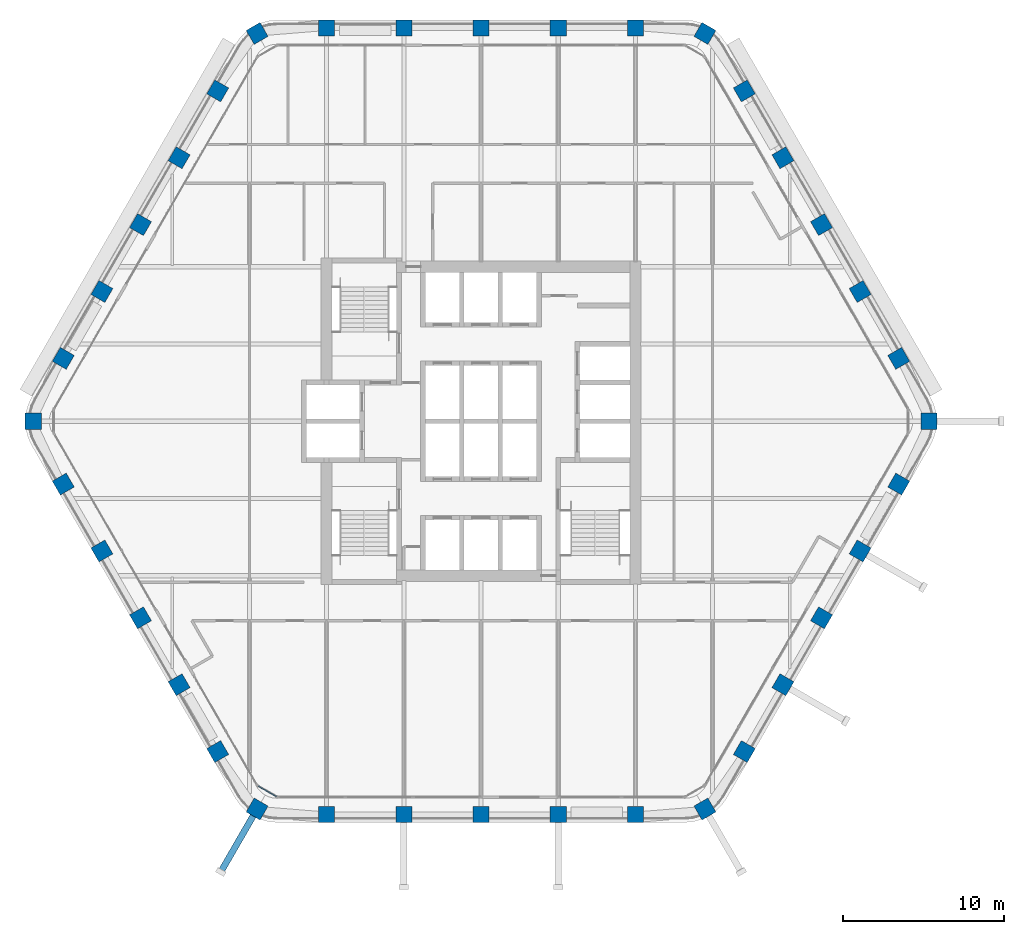
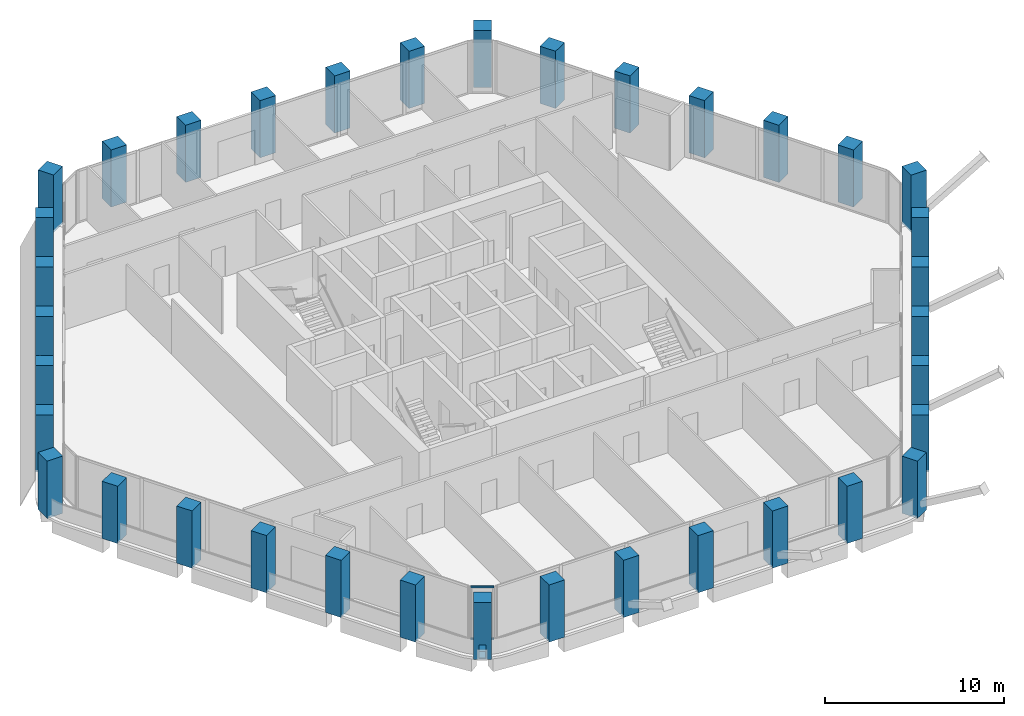
# One storey, part 1 of 16: 36 columns, 3 members, 1 element without a shape of its own.
"""IFC4 building model written with IfcOpenShell, lengths in metres."""

from ifc_helpers import new_model, si_unit, direction, frame, origin, origin_2d, place, context, subcontext, project, spatial, rectangle, hollow_rectangle, extrude, material, material_profile, profile_set, type_object, element, aggregate, save


model = new_model("IFC4")

# Units and contexts
model_context = context("Model", 3, precision=1e-05, world=origin(), true_north=direction((0.0, 1.0)))
body_context = subcontext(model_context, "Body", "Model", "MODEL_VIEW")
ifc_project = project(units=[si_unit("LENGTHUNIT", "METRE"), si_unit("AREAUNIT", "SQUARE_METRE"), si_unit("VOLUMEUNIT", "CUBIC_METRE"), si_unit("PLANEANGLEUNIT", "RADIAN"), si_unit("MASSUNIT", "GRAM", prefix="KILO")], contexts=[model_context])

# Site, building, storey
site_placement = place(None, origin())
site = spatial("IfcSite", under=ifc_project, at=site_placement, CompositionType="ELEMENT")
building_placement = place(site_placement, origin())
building = spatial("IfcBuilding", under=site, at=building_placement, Name="Kolab Exchange Tower", CompositionType="ELEMENT")
storey_placement = place(building_placement, frame((0.0, 0.0, 193.39990234375)))
storey = spatial("IfcBuildingStorey", under=building, at=storey_placement, Name="L41", CompositionType="ELEMENT", Elevation=193.39990234375)

# Columns
ifc_material_1 = material(Name="Concrete C60/75", Category="concrete")
ifc_material_profile_1 = material_profile(ifc_material_1, rectangle(XDim=1.0, YDim=1.0, at=origin_2d()), Name="RC1000")
ifc_profile_set_1 = profile_set([ifc_material_profile_1], Name="Concrete C60/75")
column_type = type_object("IfcColumnType", Name="PERIMETER COLUMN 1000 SQ C60/75", PredefinedType="COLUMN", material=ifc_profile_set_1)
for number, where, z_axis, x_axis, name in (
    (1, (-13.91796875, 24.106689453125, -0.14990234375), (0.0, 0.0, 1.0), (0.866025403784, 0.5, 0.0), "col/L41/F1-01"),
    (2, (-9.60009765625, 24.441650390625, -0.14990234375), (0.0, 0.0, 1.0), (1.0, 0.0, 0.0), "col/L41/F1-02"),
    (3, (-4.800048828125, 24.441650390625, -0.14990234375), (0.0, 0.0, 1.0), (1.0, 0.0, 0.0), "col/L41/F1-03"),
    (4, (0.0, 24.441650390625, -0.14990234375), (0.0, 0.0, 1.0), (1.0, 0.0, 0.0), "col/L41/F1-04"),
    (5, (4.800048828125, 24.441650390625, -0.14990234375), (0.0, 0.0, 1.0), (1.0, 0.0, 0.0), "col/L41/F1-05"),
    (6, (9.60009765625, 24.441650390625, -0.14990234375), (0.0, 0.0, 1.0), (1.0, 0.0, 0.0), "col/L41/F1-06"),
    (7, (13.91796875, 24.106689453125, -0.14990234375), (0.0, 0.0, 1.0), (0.5, 0.866025403784, 0.0), "col/L41/F2-01"),
    (8, (16.366943359375, 20.53466796875, -0.14990234375), (0.0, 0.0, 1.0), (0.866025403784, 0.5, 0.0), "col/L41/F2-02"),
    (9, (18.76708984375, 16.377685546875, -0.14990234375), (0.0, 0.0, 1.0), (0.866025403784, 0.5, 0.0), "col/L41/F2-03"),
    (10, (21.1669921875, 12.220703125, -0.14990234375), (0.0, 0.0, 1.0), (0.866025403784, 0.5, 0.0), "col/L41/F2-04"),
    (11, (23.56689453125, 8.06396484375, -0.14990234375), (0.0, 0.0, 1.0), (0.866025403784, 0.5, 0.0), "col/L41/F2-05"),
    (12, (25.967041015625, 3.906982421875, -0.14990234375), (0.0, 0.0, 1.0), (0.866025403784, 0.5, 0.0), "col/L41/F2-06"),
    (13, (27.8359375, 0.0, -0.14990234375), (0.0, 0.0, 1.0), (1.0, 0.0, 0.0), "col/L41/F3-01"),
    (14, (25.967041015625, -3.906982421875, -0.14990234375), (0.0, 0.0, 1.0), (0.5, 0.866025403784, 0.0), "col/L41/F3-02"),
    (15, (23.56689453125, -8.06396484375, -0.14990234375), (0.0, 0.0, 1.0), (0.5, 0.866025403784, 0.0), "col/L41/F3-03"),
    (16, (21.1669921875, -12.220703125, -0.14990234375), (0.0, 0.0, 1.0), (0.5, 0.866025403784, 0.0), "col/L41/F3-04"),
    (17, (18.76708984375, -16.377685546875, -0.14990234375), (0.0, 0.0, 1.0), (0.5, 0.866025403784, 0.0), "col/L41/F3-05"),
    (18, (16.366943359375, -20.53466796875, -0.14990234375), (0.0, 0.0, 1.0), (0.5, 0.866025403784, 0.0), "col/L41/F3-06"),
    (19, (13.91796875, -24.106689453125, -0.14990234375), (0.0, 0.0, 1.0), (0.866025403784, 0.5, 0.0), "col/L41/F4-01"),
    (20, (9.60009765625, -24.441650390625, -0.14990234375), (0.0, 0.0, 1.0), (1.0, 0.0, 0.0), "col/L41/F4-02"),
    (21, (4.800048828125, -24.441650390625, -0.14990234375), (0.0, 0.0, 1.0), (1.0, 0.0, 0.0), "col/L41/F4-03"),
    (22, (0.0, -24.441650390625, -0.14990234375), (0.0, 0.0, 1.0), (1.0, 0.0, 0.0), "col/L41/F4-04"),
    (23, (-4.800048828125, -24.441650390625, -0.14990234375), (0.0, 0.0, 1.0), (1.0, 0.0, 0.0), "col/L41/F4-05"),
    (24, (-9.60009765625, -24.441650390625, -0.14990234375), (0.0, 0.0, 1.0), (1.0, 0.0, 0.0), "col/L41/F4-06"),
    (25, (-13.91796875, -24.106689453125, -0.14990234375), (0.0, 0.0, 1.0), (0.5, 0.866025403784, 0.0), "col/L41/F5-01"),
    (26, (-16.366943359375, -20.53466796875, -0.14990234375), (0.0, 0.0, 1.0), (0.866025403784, 0.5, 0.0), "col/L41/F5-02"),
    (27, (-18.76708984375, -16.377685546875, -0.14990234375), (0.0, 0.0, 1.0), (0.866025403784, 0.5, 0.0), "col/L41/F5-03"),
    (28, (-21.1669921875, -12.220703125, -0.14990234375), (0.0, 0.0, 1.0), (0.866025403784, 0.5, 0.0), "col/L41/F5-04"),
    (29, (-23.56689453125, -8.06396484375, -0.14990234375), (0.0, 0.0, 1.0), (0.866025403784, 0.5, 0.0), "col/L41/F5-05"),
    (30, (-25.967041015625, -3.906982421875, -0.14990234375), (0.0, 0.0, 1.0), (0.866025403784, 0.5, 0.0), "col/L41/F5-06"),
    (31, (-27.8359375, 0.0, -0.14990234375), (0.0, 0.0, 1.0), (1.0, 0.0, 0.0), "col/L41/F6-01"),
    (32, (-25.967041015625, 3.906982421875, -0.14990234375), (0.0, 0.0, 1.0), (0.5, 0.866025403784, 0.0), "col/L41/F6-02"),
    (33, (-23.56689453125, 8.06396484375, -0.14990234375), (0.0, 0.0, 1.0), (0.5, 0.866025403784, 0.0), "col/L41/F6-03"),
    (34, (-21.1669921875, 12.220703125, -0.14990234375), (0.0, 0.0, 1.0), (0.5, 0.866025403784, 0.0), "col/L41/F6-04"),
    (35, (-18.76708984375, 16.377685546875, -0.14990234375), (0.0, 0.0, 1.0), (0.5, 0.866025403784, 0.0), "col/L41/F6-05"),
    (36, (-16.366943359375, 20.53466796875, -0.14990234375), (0.0, 0.0, 1.0), (0.5, 0.866025403784, 0.0), "col/L41/F6-06"),
):
    element("IfcColumn", number, at=place(storey_placement, frame(where, z_axis=z_axis, x_axis=x_axis)), inside=storey, type_object=column_type, Name=name, PredefinedType="COLUMN", context=body_context, shape_type="SweptSolid", body=[
        extrude(rectangle(XDim=1.0, YDim=1.0, at=origin_2d()), origin(), (0.0, 0.0, 1.0), 3.89990234375),
    ])

# Member
ifc_material_2 = material(Name="Steel S355", Category="steel")
ifc_material_profile_2 = material_profile(ifc_material_2, hollow_rectangle(XDim=0.39990234375, YDim=0.39990234375, WallThickness=0.02001953125, at=origin_2d()), Name="HSS400X400X20")
ifc_profile_set_2 = profile_set([ifc_material_profile_2], Name="Steel S355")
member_type_1 = type_object("IfcMemberType", Name="LEDGE STRUT HSS400X400X20", PredefinedType="STRUT", material=ifc_profile_set_2)
member_1_placement = place(storey_placement, frame((-14.14794921875, -24.5048828125, 0.60009765625), z_axis=(-0.431366436313, -0.74714919009, 0.505659060406), x_axis=(0.866025579307, -0.499999695987, 0.0)))
element("IfcMember", 37, at=member_1_placement, inside=storey, type_object=member_type_1, Name="mem/L41/ledge/strut-6", PredefinedType="STRUT", context=body_context, shape_type="SweptSolid", body=[
    extrude(hollow_rectangle(XDim=0.39990234375, YDim=0.39990234375, WallThickness=0.02001953125, at=origin_2d()), origin(), (0.0, 0.0, 1.0), 4.682861328125),
])

# Curtain wall, members
ifc_material_3 = material(Name="Aluminium EN AW-6063 T6", Category="aluminium")
curtain_wall_type = type_object("IfcCurtainWallType", Name="UNITISED UPPER MID ZONE CURTAIN WALL", PredefinedType="NOTDEFINED", material=ifc_material_3)
curtain_wall_placement = place(storey_placement, origin())
curtain_wall = element("IfcCurtainWall", 38, at=curtain_wall_placement, inside=storey, type_object=curtain_wall_type, Name="cw/L41/F4F5-corner", PredefinedType="NOTDEFINED")
ifc_material_profile_3 = material_profile(ifc_material_3, rectangle(XDim=0.06005859375, YDim=0.139892578125, at=origin_2d()), Name="RECT 60X140")
ifc_profile_set_3 = profile_set([ifc_material_profile_3], Name="Aluminium EN AW-6063 T6")
member_type_2 = type_object("IfcMemberType", Name="UNITISED UPPER MID ZONE TRANSOM 60 X 140", PredefinedType="USERDEFINED", material=ifc_profile_set_3)
member_2_placement = place(storey_placement, frame((-12.719970703125, -23.33154296875, 0.030029296875), z_axis=(-0.86603858612, 0.49997716683, 0.0), x_axis=(-0.49997716683, -0.86603858612, 0.0)))
member_2 = element("IfcMember", 39, at=member_2_placement, type_object=member_type_2, Name="CW3 transom 1.1", ObjectType="TRANSOM", PredefinedType="USERDEFINED", context=body_context, shape_type="SweptSolid", body=[
    extrude(rectangle(XDim=0.06005859375, YDim=0.139892578125, at=origin_2d()), origin(), (0.0, 0.0, 1.0), 1.2998046875),
])
member_3_placement = place(storey_placement, frame((-12.719970703125, -23.33154296875, 3.570068359375), z_axis=(-0.86603858612, 0.49997716683, 0.0), x_axis=(-0.49997716683, -0.86603858612, 0.0)))
member_3 = element("IfcMember", 40, at=member_3_placement, type_object=member_type_2, Name="CW3 transom 1.2", ObjectType="TRANSOM", PredefinedType="USERDEFINED", context=body_context, shape_type="SweptSolid", body=[
    extrude(rectangle(XDim=0.06005859375, YDim=0.139892578125, at=origin_2d()), origin(), (0.0, 0.0, 1.0), 1.2998046875),
])
aggregate(curtain_wall, [member_2, member_3])

save(model, "model.ifc")
